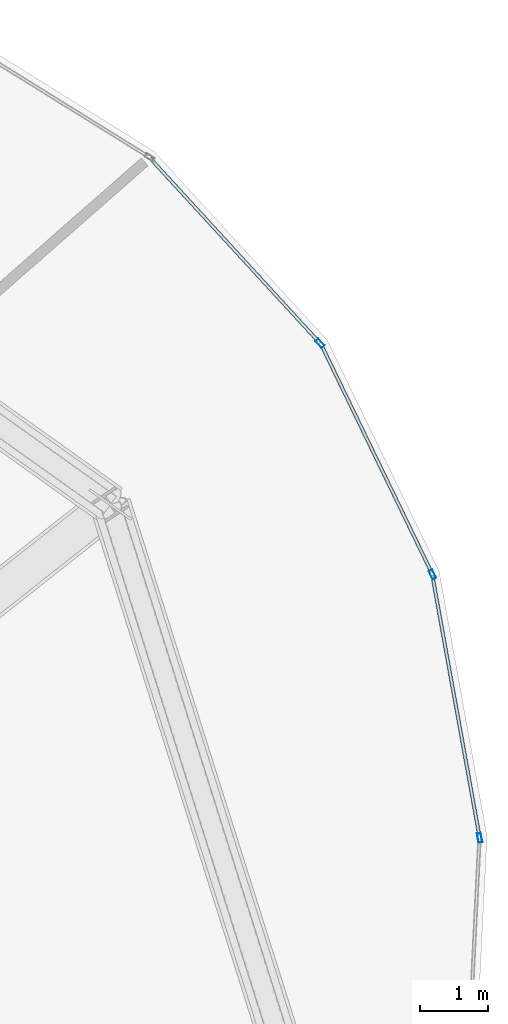
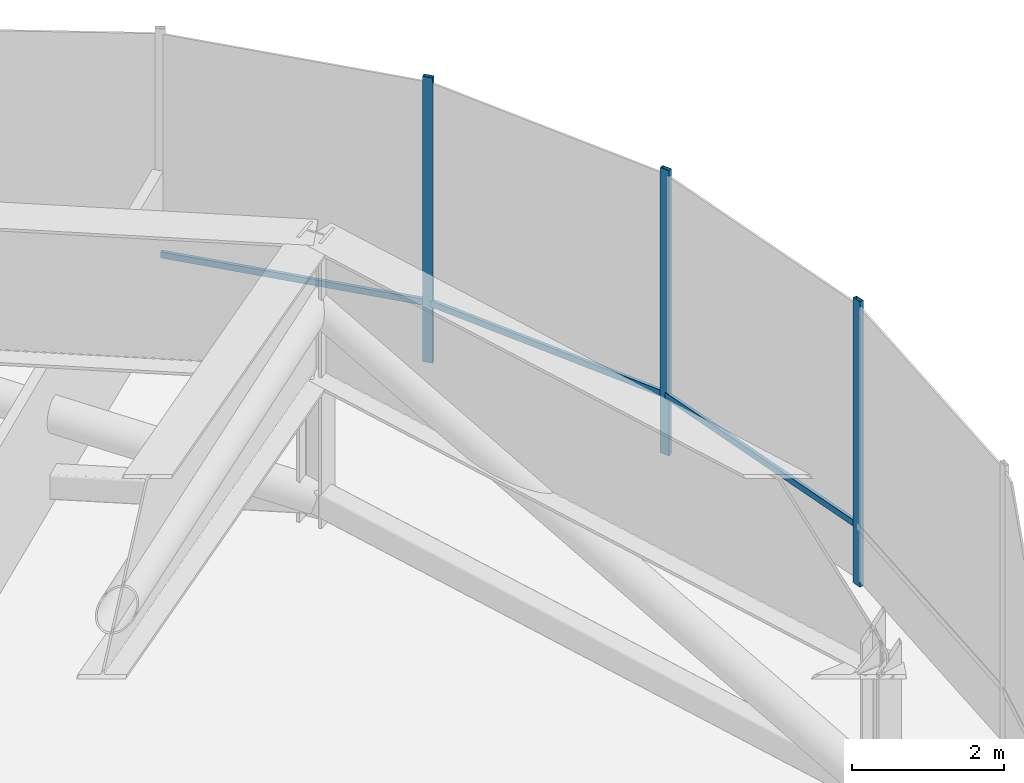
# One storey, part 23 of 30: 6 members, 2 elements without a shape of their own.
"""IFC4 building model written with IfcOpenShell, lengths in metres."""

from ifc_helpers import new_model, si_unit, direction, frame, origin, origin_2d, place, context, subcontext, project, spatial, hollow_rectangle, extrude, source, transform, mapped, material, layer, layer_set, material_profile, profile_set, type_object, element, aggregate, save


model = new_model("IFC4")

# Units and contexts
model_context = context("Model", 3, precision=1e-05, world=origin(), true_north=direction((0.0, 1.0)))
body_context = subcontext(model_context, "Body", "Model", "MODEL_VIEW")
ifc_project = project(units=[si_unit("LENGTHUNIT", "METRE"), si_unit("AREAUNIT", "SQUARE_METRE"), si_unit("VOLUMEUNIT", "CUBIC_METRE"), si_unit("PLANEANGLEUNIT", "RADIAN"), si_unit("MASSUNIT", "GRAM", prefix="KILO"), si_unit("THERMODYNAMICTEMPERATUREUNIT", "KELVIN")], contexts=[model_context])

# Site, building, storey
site_placement = place(None, origin())
site = spatial("IfcSite", under=ifc_project, at=site_placement, CompositionType="ELEMENT")
building_placement = place(site_placement, origin())
building = spatial("IfcBuilding", under=site, at=building_placement, Name="Kethvar Cultural Tower", CompositionType="ELEMENT")
storey_placement = place(building_placement, frame((0.0, 0.0, 171.39990234375)))
storey = spatial("IfcBuildingStorey", under=building, at=storey_placement, Name="L44", CompositionType="ELEMENT", Elevation=171.39990234375)

# Curtain wall, member
ifc_material = material(Name="Aluminium 6063-T6", Category="aluminium")
ifc_layer = layer(ifc_material, 0.179931640625, Name="Aluminium 6063-T6", Category="aluminium")
ifc_layer_set = layer_set([ifc_layer], Name="Aluminium 6063-T6 (180 mm)")
curtain_wall_type = type_object("IfcCurtainWallType", Name="CW-SYS-04-Z34", PredefinedType="NOTDEFINED", material=ifc_layer_set)
curtain_wall_1_placement = place(storey_placement, origin())
curtain_wall_1 = element("IfcCurtainWall", 1, at=curtain_wall_1_placement, inside=storey, type_object=curtain_wall_type, Name="L44 Curtain Wall Run 01", PredefinedType="NOTDEFINED")
ifc_material_profile_1 = material_profile(ifc_material, hollow_rectangle(XDim=0.06005859375, YDim=0.139892578125, WallThickness=0.0048828125, at=origin_2d()), Name="Aluminium 6063-T6 — RHS140x60x5")
ifc_profile_set_1 = profile_set([ifc_material_profile_1], Name="Aluminium 6063-T6 — RHS140x60x5")
member_type_1 = type_object("IfcMemberType", Name="CW-SYS-04-Z34-MUL", PredefinedType="MULLION", material=ifc_profile_set_1)
shared_shape_1 = source(origin(), body_context, "Body", "SweptSolid", [
    extrude(hollow_rectangle(XDim=0.06005859375, YDim=0.139892578125, WallThickness=0.0048828125, at=origin_2d()), origin(), (0.0, 0.0, 1.0), 4.580078125),
])
member_1_placement = place(storey_placement, frame((71.6435546875, 44.7109375, 0.0), z_axis=(0.0, 0.0, 1.0), x_axis=(-0.736510429755, -0.676426187298, 0.0)))
member_1 = element("IfcMember", 2, at=member_1_placement, type_object=member_type_1, Name="CW-L44-R01 Mullion 1", PredefinedType="MULLION", context=body_context, shape_type="MappedRepresentation", body=[
    mapped(shared_shape_1, transform((0.0, 0.0, 0.0), scale=1.0)),
])

# Curtain wall, members
curtain_wall_2_placement = place(storey_placement, origin())
curtain_wall_2 = element("IfcCurtainWall", 3, at=curtain_wall_2_placement, inside=storey, type_object=curtain_wall_type, Name="L44 Curtain Wall Run 06", PredefinedType="NOTDEFINED")
member_2_placement = place(storey_placement, frame((73.98486328125, 37.458251953125, 0.0), z_axis=(0.0, 0.0, 1.0), x_axis=(-0.98412753976, -0.177462631241, 0.0)))
member_2 = element("IfcMember", 4, at=member_2_placement, type_object=member_type_1, Name="CW-L44-R06 Mullion 5", PredefinedType="MULLION", context=body_context, shape_type="MappedRepresentation", body=[
    mapped(shared_shape_1, transform((0.0, 0.0, 0.0), scale=1.0)),
])
member_3_placement = place(storey_placement, frame((73.292724609375, 41.320068359375, 0.0), z_axis=(0.0, 0.0, 1.0), x_axis=(-0.90004512994, -0.435796700392, 0.0)))
member_3 = element("IfcMember", 5, at=member_3_placement, type_object=member_type_1, Name="CW-L44-R06 Mullion 6", PredefinedType="MULLION", context=body_context, shape_type="MappedRepresentation", body=[
    mapped(shared_shape_1, transform((0.0, 0.0, 0.0), scale=1.0)),
])

# Member
ifc_material_profile_2 = material_profile(ifc_material, hollow_rectangle(XDim=0.050048828125, YDim=0.10009765625, WallThickness=0.00390625, at=origin_2d()), Name="Aluminium 6063-T6 — RHS100x50x4")
ifc_profile_set_2 = profile_set([ifc_material_profile_2], Name="Aluminium 6063-T6 — RHS100x50x4")
member_type_2 = type_object("IfcMemberType", Name="CW-SYS-04-Z34-TRN", PredefinedType="USERDEFINED", material=ifc_profile_set_2)
shared_shape_2 = source(origin(), body_context, "Body", "SweptSolid", [
    extrude(hollow_rectangle(XDim=0.050048828125, YDim=0.10009765625, WallThickness=0.00390625, at=origin_2d()), origin(), (0.0, 0.0, 1.0), 3.678466796875),
])
member_4_placement = place(storey_placement, frame((71.640625, 44.714111328125, 0.9501953125), z_axis=(-0.676436594132, 0.736500871771, 0.0), x_axis=(-0.736500871771, -0.676436594132, 0.0)))
member_4 = element("IfcMember", 6, at=member_4_placement, type_object=member_type_2, Name="CW-L44-R01 Transom 1", ObjectType="TRANSOM", PredefinedType="USERDEFINED", context=body_context, shape_type="MappedRepresentation", body=[
    mapped(shared_shape_2, transform((0.0, 0.0, 0.0), scale=1.0)),
])

aggregate(curtain_wall_1, [member_1, member_4])

shared_shape_3 = source(origin(), body_context, "Body", "SweptSolid", [
    extrude(hollow_rectangle(XDim=0.050048828125, YDim=0.10009765625, WallThickness=0.00390625, at=origin_2d()), origin(), (0.0, 0.0, 1.0), 3.866455078125),
])
member_5_placement = place(storey_placement, frame((73.977294921875, 37.500732421875, 0.9501953125), z_axis=(-0.177490590327, 0.984122497632, 0.0), x_axis=(-0.984122497632, -0.177490590327, 0.0)))
member_5 = element("IfcMember", 7, at=member_5_placement, type_object=member_type_2, Name="CW-L44-R06 Transom 5", ObjectType="TRANSOM", PredefinedType="USERDEFINED", context=body_context, shape_type="MappedRepresentation", body=[
    mapped(shared_shape_3, transform((0.0, 0.0, 0.0), scale=1.0)),
])

shared_shape_4 = source(origin(), body_context, "Body", "SweptSolid", [
    extrude(hollow_rectangle(XDim=0.050048828125, YDim=0.10009765625, WallThickness=0.00390625, at=origin_2d()), origin(), (0.0, 0.0, 1.0), 3.6787109375),
])
member_6_placement = place(storey_placement, frame((73.27392578125, 41.35888671875, 0.9501953125), z_axis=(-0.435815904885, 0.900035830981, 0.0), x_axis=(-0.900035830981, -0.435815904885, 0.0)))
member_6 = element("IfcMember", 8, at=member_6_placement, type_object=member_type_2, Name="CW-L44-R06 Transom 6", ObjectType="TRANSOM", PredefinedType="USERDEFINED", context=body_context, shape_type="MappedRepresentation", body=[
    mapped(shared_shape_4, transform((0.0, 0.0, 0.0), scale=1.0)),
])

aggregate(curtain_wall_2, [member_2, member_3, member_5, member_6])

save(model, "model.ifc")
